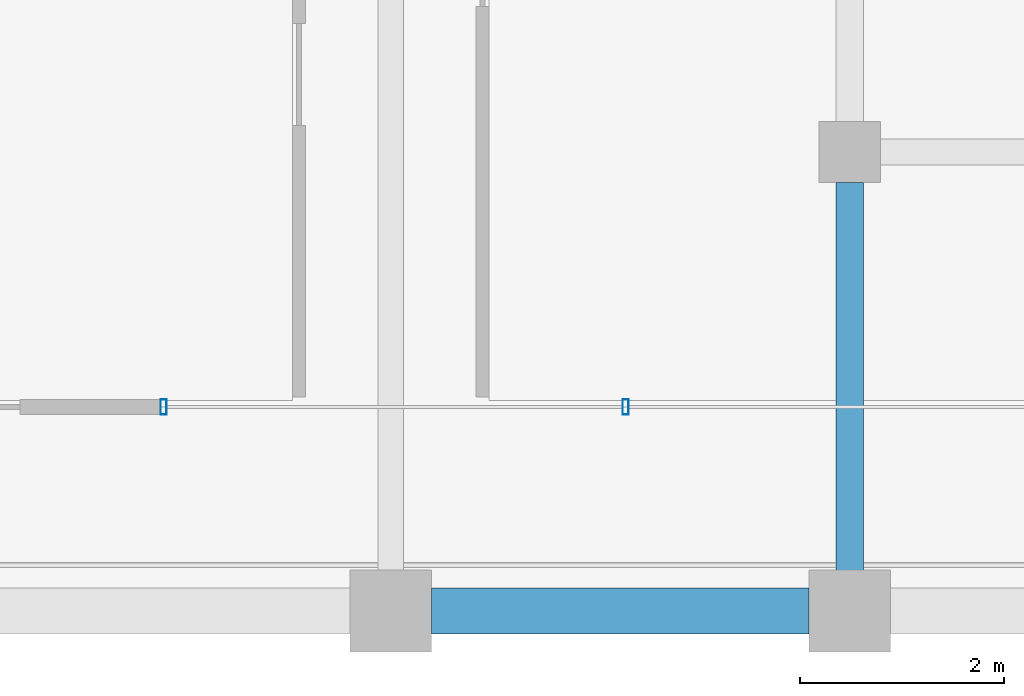
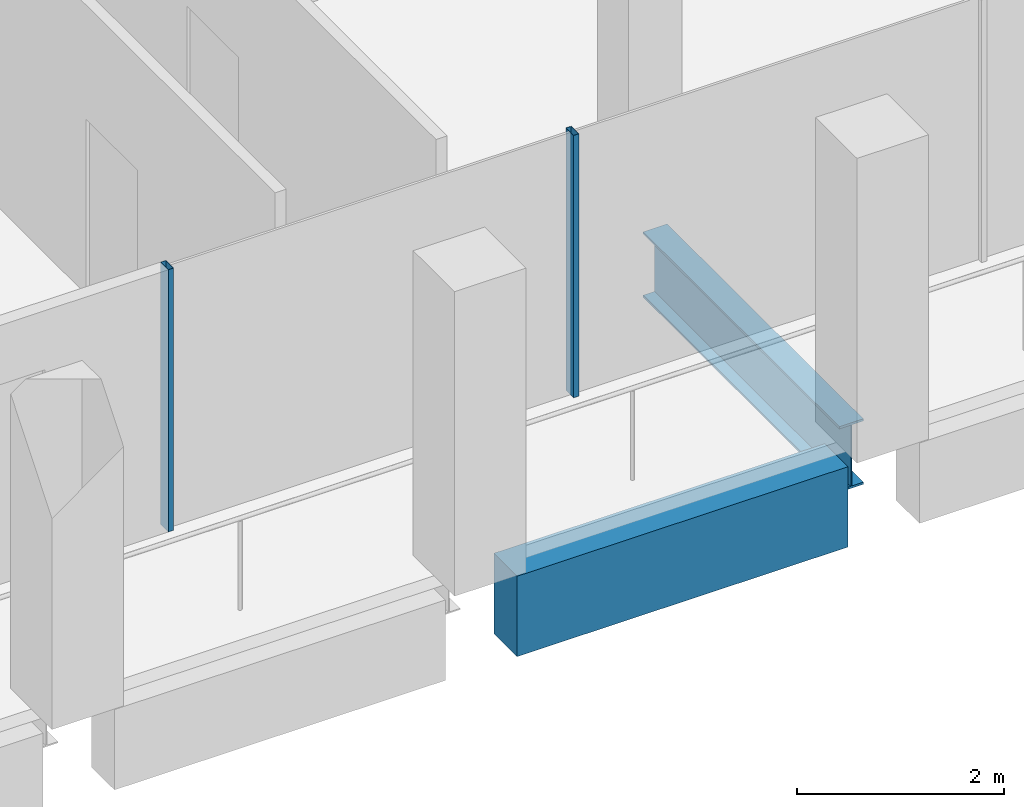
# One storey, part 9 of 30: 2 beams, 2 members, 1 element without a shape of its own.
"""IFC4 building model written with IfcOpenShell, lengths in metres."""

from ifc_helpers import new_model, si_unit, direction, frame, origin, origin_2d, place, context, subcontext, project, spatial, rectangle, hollow_rectangle, i_section, extrude, material, material_profile, profile_set, type_object, element, aggregate, save


model = new_model("IFC4")

# Units and contexts
model_context = context("Model", 3, precision=1e-05, world=origin(), true_north=direction((0.0, 1.0)))
body_context = subcontext(model_context, "Body", "Model", "MODEL_VIEW")
ifc_project = project(units=[si_unit("LENGTHUNIT", "METRE"), si_unit("AREAUNIT", "SQUARE_METRE"), si_unit("VOLUMEUNIT", "CUBIC_METRE"), si_unit("PLANEANGLEUNIT", "RADIAN"), si_unit("MASSUNIT", "GRAM", prefix="KILO")], contexts=[model_context])

# Site, building, storey
site_placement = place(None, origin())
site = spatial("IfcSite", under=ifc_project, at=site_placement, CompositionType="ELEMENT")
building_placement = place(site_placement, origin())
building = spatial("IfcBuilding", under=site, at=building_placement, Name="Altepetl Exchange Towers", CompositionType="ELEMENT")
storey_placement = place(building_placement, frame((0.0, 0.0, 213.60009765625)))
storey = spatial("IfcBuildingStorey", under=building, at=storey_placement, Name="L54", CompositionType="ELEMENT", Elevation=213.60009765625)

# Beam
ifc_material_1 = material(Name="Steel S355", Category="steel")
ifc_material_profile_1 = material_profile(ifc_material_1, i_section(OverallWidth=0.26806640625, OverallDepth=0.77392578125, WebThickness=0.015380859375, FlangeThickness=0.025390625, at=origin_2d()), Name="W30X132")
ifc_profile_set_1 = profile_set([ifc_material_profile_1], Name="Steel S355")
beam_type_1 = type_object("IfcBeamType", Name="Girder W30X132", PredefinedType="BEAM", material=ifc_profile_set_1)
beam_1_placement = place(storey_placement, frame((58.5, 31.199951171875, -0.537109375), z_axis=(0.0, -1.0, 0.0), x_axis=(1.0, 0.0, 0.0)))
element("IfcBeam", 1, at=beam_1_placement, inside=storey, type_object=beam_type_1, Name="gd:A:L54:005", PredefinedType="BEAM", context=body_context, shape_type="SweptSolid", body=[
    extrude(i_section(OverallWidth=0.26806640625, OverallDepth=0.77392578125, WebThickness=0.015380859375, FlangeThickness=0.025390625, at=origin_2d()), origin(), (0.0, 0.0, 1.0), 3.800048828125),
])

# Curtain wall, members
ifc_material_2 = material(Name="Aluminium 6063-T6 glazing", Category="aluminium")
curtain_wall_type = type_object("IfcCurtainWallType", Name="Loggia glazing system", PredefinedType="NOTDEFINED", material=ifc_material_2)
curtain_wall_placement = place(storey_placement, origin())
curtain_wall = element("IfcCurtainWall", 2, at=curtain_wall_placement, inside=storey, type_object=curtain_wall_type, Name="CW1 run", PredefinedType="NOTDEFINED")
ifc_material_3 = material(Name="Aluminium 6063-T6", Category="aluminium")
ifc_material_profile_2 = material_profile(ifc_material_3, hollow_rectangle(XDim=0.06005859375, YDim=0.14990234375, WallThickness=0.0029296875, at=origin_2d()), Name="Mullion 60x150 aluminium")
ifc_profile_set_2 = profile_set([ifc_material_profile_2], Name="Aluminium 6063-T6")
member_type = type_object("IfcMemberType", Name="Mullion 60x150 aluminium", PredefinedType="MULLION", material=ifc_profile_set_2)
member_1_placement = place(storey_placement, frame((51.77294921875, 29.0, 0.0)))
member_1 = element("IfcMember", 3, at=member_1_placement, type_object=member_type, Name="MU1 mullion", PredefinedType="MULLION", context=body_context, shape_type="SweptSolid", body=[
    extrude(hollow_rectangle(XDim=0.06005859375, YDim=0.14990234375, WallThickness=0.0029296875, at=origin_2d()), origin(), (0.0, 0.0, 1.0), 3.099853515625),
])
member_2_placement = place(storey_placement, frame((56.303466796875, 29.0, 0.0)))
member_2 = element("IfcMember", 4, at=member_2_placement, type_object=member_type, Name="MU1 mullion", PredefinedType="MULLION", context=body_context, shape_type="SweptSolid", body=[
    extrude(hollow_rectangle(XDim=0.06005859375, YDim=0.14990234375, WallThickness=0.0029296875, at=origin_2d()), origin(), (0.0, 0.0, 1.0), 3.099853515625),
])
aggregate(curtain_wall, [member_1, member_2])

# Beam
ifc_material_4 = material(Name="Concrete C50/60 precast with cantera blanca facing", Category="concrete")
ifc_material_profile_3 = material_profile(ifc_material_4, rectangle(XDim=0.449951171875, YDim=0.949951171875, at=origin_2d()), Name="450 x 950")
ifc_profile_set_3 = profile_set([ifc_material_profile_3], Name="Concrete C50/60 precast with cantera blanca facing")
beam_type_2 = type_object("IfcBeamType", Name="Spandrel beam 450x950 cantera blanca", PredefinedType="SPANDREL", material=ifc_profile_set_3)
beam_2_placement = place(storey_placement, frame((54.39990234375, 27.0, -0.625), z_axis=(1.0, 0.0, 0.0), x_axis=(0.0, 1.0, 0.0)))
element("IfcBeam", 5, at=beam_2_placement, inside=storey, type_object=beam_type_2, Name="sp:A:L54:005", PredefinedType="SPANDREL", context=body_context, shape_type="SweptSolid", body=[
    extrude(rectangle(XDim=0.449951171875, YDim=0.949951171875, at=origin_2d()), origin(), (0.0, 0.0, 1.0), 3.7001953125),
])

save(model, "model.ifc")
